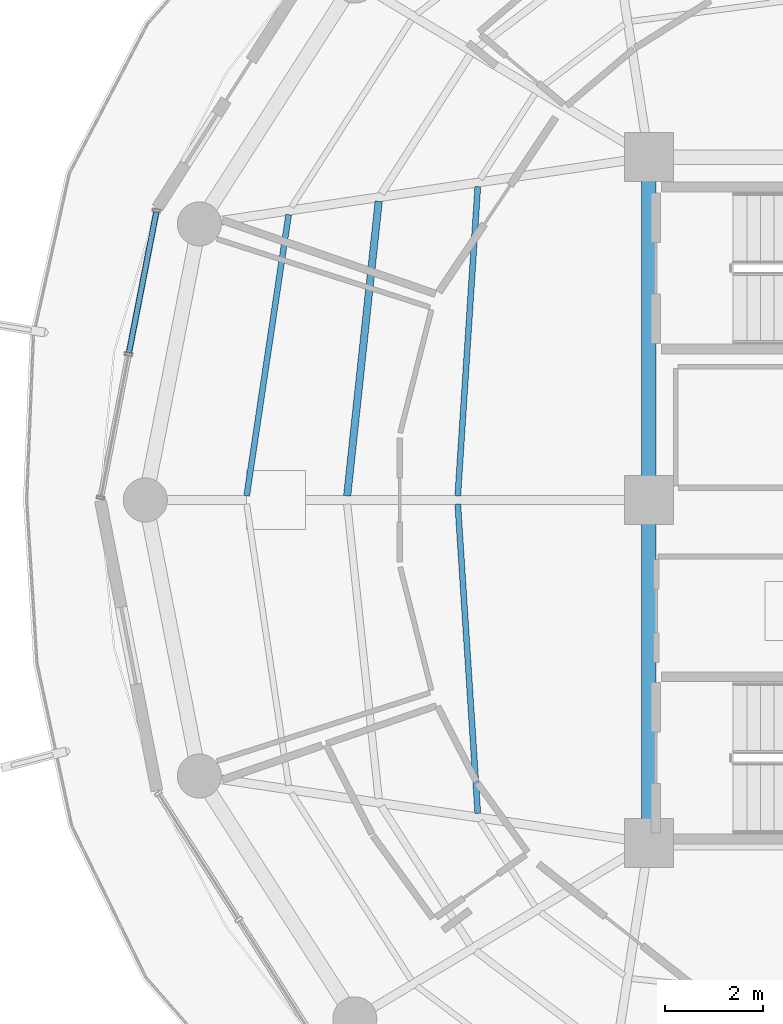
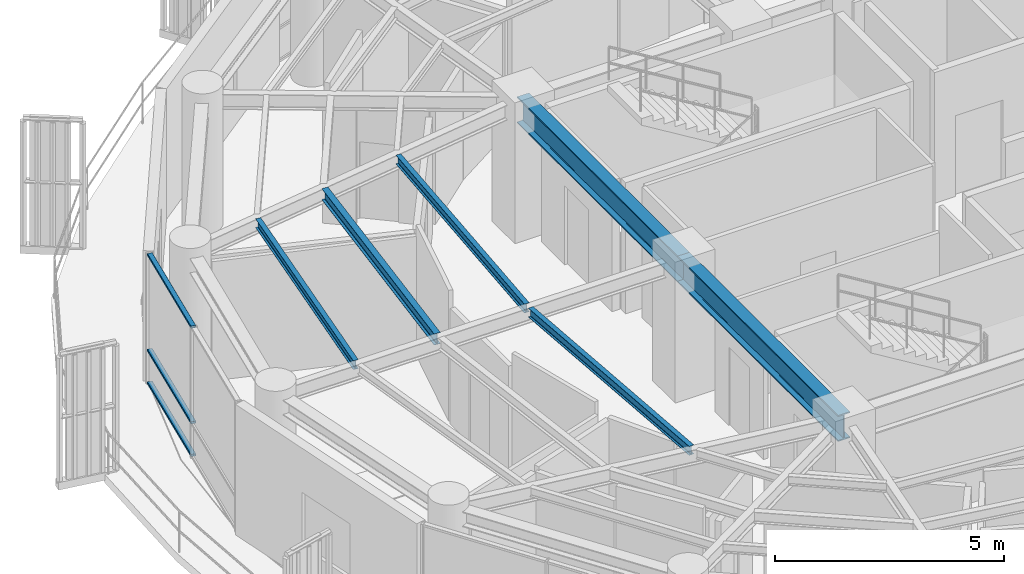
# One storey, part 6 of 22: 6 beams, 3 members, 1 element without a shape of its own.
"""IFC4 building model written with IfcOpenShell, lengths in metres."""

from ifc_helpers import new_model, si_unit, direction, frame, origin, origin_2d, place, context, subcontext, project, spatial, hollow_rectangle, i_section, extrude, material, layer, layer_set, material_profile, profile_set, type_object, element, aggregate, save


model = new_model("IFC4")

# Units and contexts
model_context = context("Model", 3, precision=1e-05, world=origin(), true_north=direction((0.0, 1.0)))
body_context = subcontext(model_context, "Body", "Model", "MODEL_VIEW")
ifc_project = project(units=[si_unit("LENGTHUNIT", "METRE"), si_unit("AREAUNIT", "SQUARE_METRE"), si_unit("VOLUMEUNIT", "CUBIC_METRE"), si_unit("PLANEANGLEUNIT", "RADIAN"), si_unit("MASSUNIT", "GRAM", prefix="KILO")], contexts=[model_context])

# Site, building, storey
site_placement = place(None, origin())
site = spatial("IfcSite", under=ifc_project, at=site_placement, CompositionType="ELEMENT")
building_placement = place(site_placement, origin())
building = spatial("IfcBuilding", under=site, at=building_placement, Name="Kelanora Arch Commons", CompositionType="ELEMENT")
storey_placement = place(building_placement, frame((0.0, 0.0, 271.199951171875)))
storey = spatial("IfcBuildingStorey", under=building, at=storey_placement, Name="L69", CompositionType="ELEMENT", Elevation=271.199951171875)

# Beams
ifc_material_1 = material(Name="Steel S355", Category="steel")
ifc_material_profile_1 = material_profile(ifc_material_1, i_section(OverallWidth=0.300048828125, OverallDepth=0.699951171875, WebThickness=0.01708984375, FlangeThickness=0.031982421875, FilletRadius=0.027099609375, at=origin_2d()), Name="HEB700")
ifc_profile_set_1 = profile_set([ifc_material_profile_1], Name="Steel S355")
beam_type_1 = type_object("IfcBeamType", Name="BM-CORE-HDR", PredefinedType="BEAM", material=ifc_profile_set_1)
for number, where, z_axis, x_axis, name in (
    (1, (66.0, 65.0, 3.14013671875), (0.0, -1.0, 0.0), (1.0, 0.0, 0.0), "Core Header Beam 08 L69"),
    (2, (66.0, 58.0, 3.14013671875), (0.0, -1.0, 0.0), (1.0, 0.0, 0.0), "Core Header Beam 09 L69"),
):
    element("IfcBeam", number, at=place(storey_placement, frame(where, z_axis=z_axis, x_axis=x_axis)), inside=storey, type_object=beam_type_1, Name=name, PredefinedType="BEAM", context=body_context, shape_type="SweptSolid", body=[
        extrude(i_section(OverallWidth=0.300048828125, OverallDepth=0.699951171875, WebThickness=0.01708984375, FlangeThickness=0.031982421875, FilletRadius=0.027099609375, at=origin_2d()), origin(), (0.0, 0.0, 1.0), 7.0),
    ])
ifc_material_profile_2 = material_profile(ifc_material_1, i_section(OverallWidth=0.14990234375, OverallDepth=0.300048828125, WebThickness=0.007080078125, FlangeThickness=0.0107421875, FilletRadius=0.014892578125, at=origin_2d()), Name="IPE300")
ifc_profile_set_2 = profile_set([ifc_material_profile_2], Name="Steel S355")
beam_type_2 = type_object("IfcBeamType", Name="BM-JST-01", PredefinedType="JOIST", material=ifc_profile_set_2)
beam_1_placement = place(storey_placement, frame((60.484375, 64.097412109375, 3.340087890625), z_axis=(-0.106380594087, -0.994325484538, 0.0), x_axis=(0.994325484538, -0.106380594087, 0.0)))
element("IfcBeam", 3, at=beam_1_placement, inside=storey, type_object=beam_type_2, Name="Secondary Chord Joist BJB-16 L69", PredefinedType="JOIST", context=body_context, shape_type="SweptSolid", body=[
    extrude(i_section(OverallWidth=0.14990234375, OverallDepth=0.300048828125, WebThickness=0.007080078125, FlangeThickness=0.0107421875, FilletRadius=0.014892578125, at=origin_2d()), origin(), (0.0, 0.0, 1.0), 6.04736328125),
])
ifc_material_profile_3 = material_profile(ifc_material_1, i_section(OverallWidth=0.1201171875, OverallDepth=0.239990234375, WebThickness=0.006103515625, FlangeThickness=0.009765625, FilletRadius=0.014892578125, at=origin_2d()), Name="IPE240")
ifc_profile_set_3 = profile_set([ifc_material_profile_3], Name="Steel S355")
beam_type_3 = type_object("IfcBeamType", Name="BM-JST-02", PredefinedType="JOIST", material=ifc_profile_set_3)
beam_2_placement = place(storey_placement, frame((62.507080078125, 64.39697265625, 3.3701171875), z_axis=(-0.064495107978, -0.99791802321, 0.0), x_axis=(0.99791802321, -0.064495107978, 0.0)))
element("IfcBeam", 4, at=beam_2_placement, inside=storey, type_object=beam_type_3, Name="Secondary Chord Joist BJA-16 L69", PredefinedType="JOIST", context=body_context, shape_type="SweptSolid", body=[
    extrude(i_section(OverallWidth=0.1201171875, OverallDepth=0.239990234375, WebThickness=0.006103515625, FlangeThickness=0.009765625, FilletRadius=0.014892578125, at=origin_2d()), origin(), (0.0, 0.0, 1.0), 6.325439453125),
])
beam_3_placement = place(storey_placement, frame((58.6455078125, 63.8251953125, 3.3701171875), z_axis=(-0.14762470282, -0.989043450571, 0.0), x_axis=(0.989043450571, -0.14762470282, 0.0)))
element("IfcBeam", 5, at=beam_3_placement, inside=storey, type_object=beam_type_3, Name="Secondary Chord Joist BJC-16 L69", PredefinedType="JOIST", context=body_context, shape_type="SweptSolid", body=[
    extrude(i_section(OverallWidth=0.1201171875, OverallDepth=0.239990234375, WebThickness=0.006103515625, FlangeThickness=0.009765625, FilletRadius=0.014892578125, at=origin_2d()), origin(), (0.0, 0.0, 1.0), 5.804931640625),
])
beam_4_placement = place(storey_placement, frame((62.09912109375, 57.915283203125, 3.3701171875), z_axis=(0.064495107978, -0.99791802321, 0.0), x_axis=(0.99791802321, 0.064495107978, 0.0)))
element("IfcBeam", 6, at=beam_4_placement, inside=storey, type_object=beam_type_3, Name="Secondary Chord Joist BJA-18 L69", PredefinedType="JOIST", context=body_context, shape_type="SweptSolid", body=[
    extrude(i_section(OverallWidth=0.1201171875, OverallDepth=0.239990234375, WebThickness=0.006103515625, FlangeThickness=0.009765625, FilletRadius=0.014892578125, at=origin_2d()), origin(), (0.0, 0.0, 1.0), 6.325439453125),
])

# Curtain wall, members
ifc_material_2 = material(Name="Terracotta ceramic-fritted low-E glass and aluminium", Category="masonry")
ifc_layer = layer(ifc_material_2, 0.18994140625)
ifc_layer_set = layer_set([ifc_layer], Name="Terracotta ceramic-fritted low-E glass and aluminium")
curtain_wall_type = type_object("IfcCurtainWallType", Name="CW-SYS-03", PredefinedType="NOTDEFINED", material=ifc_layer_set)
curtain_wall_placement = place(storey_placement, origin())
curtain_wall = element("IfcCurtainWall", 7, at=curtain_wall_placement, inside=storey, type_object=curtain_wall_type, Name="Unitised Curtain Wall L69-B08", PredefinedType="NOTDEFINED")
ifc_material_3 = material(Name="Powder-coated aluminium terracotta", Category="masonry")
ifc_material_profile_4 = material_profile(ifc_material_3, hollow_rectangle(XDim=0.1201171875, YDim=0.06005859375, WallThickness=0.0048828125, InnerFilletRadius=0.0048828125, OuterFilletRadius=0.010009765625, at=origin_2d()), Name="CWT120x60")
ifc_profile_set_4 = profile_set([ifc_material_profile_4], Name="Powder-coated aluminium terracotta")
member_type = type_object("IfcMemberType", Name="CWT-STD", PredefinedType="USERDEFINED", material=ifc_profile_set_4)
member_1_placement = place(storey_placement, frame((55.943603515625, 63.877685546875, 0.030029296875), z_axis=(-0.190963443354, -0.981597149192, 0.0), x_axis=(0.981597149192, -0.190963443354, 0.0)))
member_1 = element("IfcMember", 8, at=member_1_placement, type_object=member_type, Name="CW-03 transom 1.1", ObjectType="TRANSOM", PredefinedType="USERDEFINED", context=body_context, shape_type="SweptSolid", body=[
    extrude(hollow_rectangle(XDim=0.1201171875, YDim=0.06005859375, WallThickness=0.0048828125, InnerFilletRadius=0.0048828125, OuterFilletRadius=0.010009765625, at=origin_2d()), origin(), (0.0, 0.0, 1.0), 2.926513671875),
])
member_2_placement = place(storey_placement, frame((55.943603515625, 63.877685546875, 0.900146484375), z_axis=(-0.190963443354, -0.981597149192, 0.0), x_axis=(0.981597149192, -0.190963443354, 0.0)))
member_2 = element("IfcMember", 9, at=member_2_placement, type_object=member_type, Name="CW-03 transom 1.2", ObjectType="TRANSOM", PredefinedType="USERDEFINED", context=body_context, shape_type="SweptSolid", body=[
    extrude(hollow_rectangle(XDim=0.1201171875, YDim=0.06005859375, WallThickness=0.0048828125, InnerFilletRadius=0.0048828125, OuterFilletRadius=0.010009765625, at=origin_2d()), origin(), (0.0, 0.0, 1.0), 2.926513671875),
])
member_3_placement = place(storey_placement, frame((55.943603515625, 63.877685546875, 3.445068359375), z_axis=(-0.190963443354, -0.981597149192, 0.0), x_axis=(0.981597149192, -0.190963443354, 0.0)))
member_3 = element("IfcMember", 10, at=member_3_placement, type_object=member_type, Name="CW-03 transom 1.3", ObjectType="TRANSOM", PredefinedType="USERDEFINED", context=body_context, shape_type="SweptSolid", body=[
    extrude(hollow_rectangle(XDim=0.1201171875, YDim=0.06005859375, WallThickness=0.0048828125, InnerFilletRadius=0.0048828125, OuterFilletRadius=0.010009765625, at=origin_2d()), origin(), (0.0, 0.0, 1.0), 2.926513671875),
])
aggregate(curtain_wall, [member_1, member_2, member_3])

save(model, "model.ifc")
